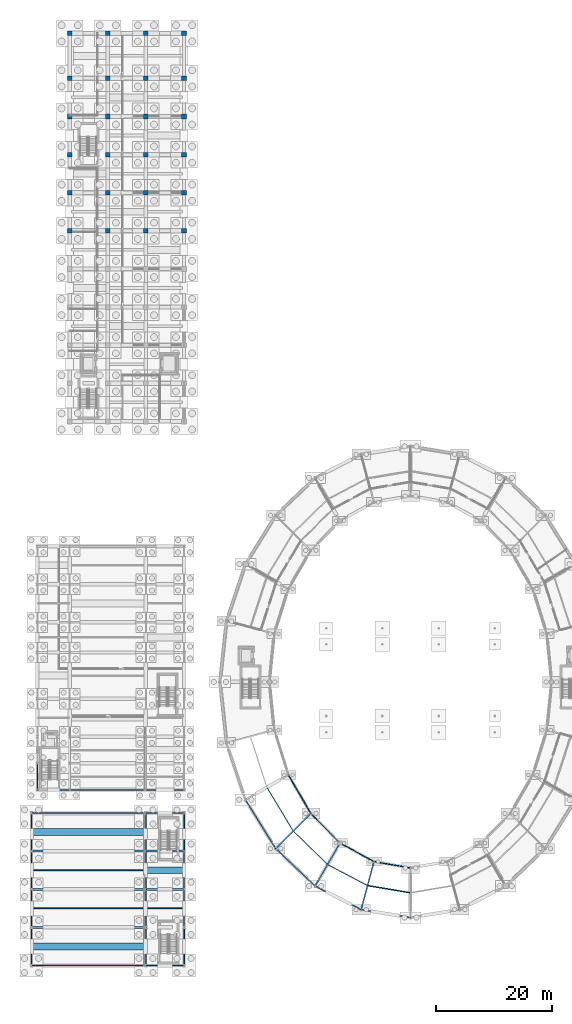
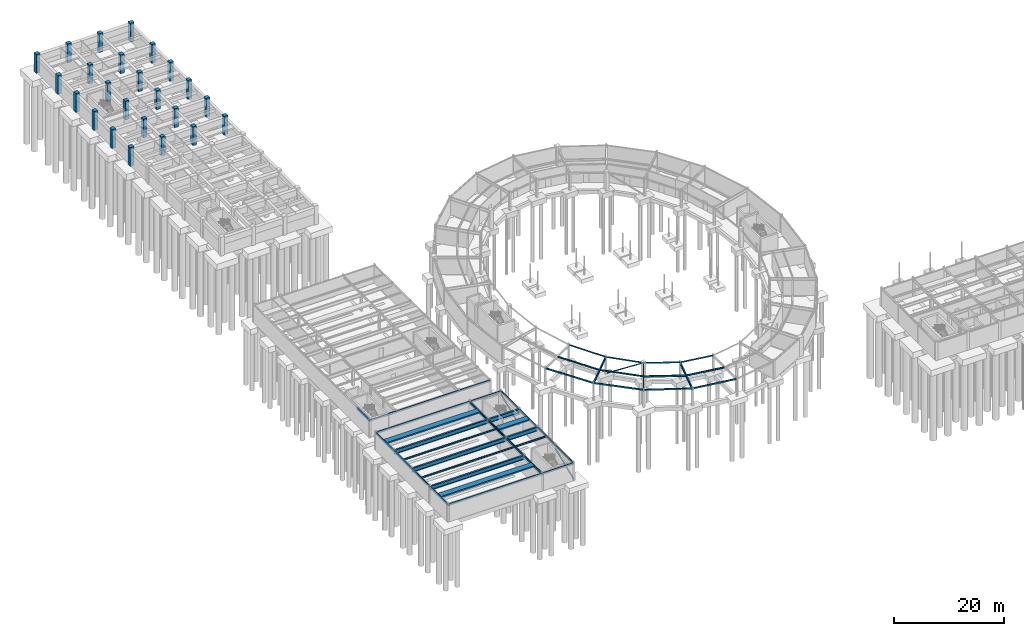
# One storey, part 23 of 58: 46 beams, 24 columns, 3 members.
"""IFC4 building model written with IfcOpenShell, lengths in metres."""

from ifc_helpers import new_model, si_unit, direction, frame, origin, origin_2d, place, context, subcontext, project, spatial, rectangle, hollow_rectangle, hollow_circle, i_section, extrude, material, material_profile, profile_set, type_object, element, save


model = new_model("IFC4")

# Units and contexts
model_context = context("Model", 3, precision=1e-05, world=origin(), true_north=direction((0.0, 1.0)))
body_context = subcontext(model_context, "Body", "Model", "MODEL_VIEW")
ifc_project = project(units=[si_unit("LENGTHUNIT", "METRE"), si_unit("AREAUNIT", "SQUARE_METRE"), si_unit("VOLUMEUNIT", "CUBIC_METRE"), si_unit("PLANEANGLEUNIT", "RADIAN"), si_unit("MASSUNIT", "GRAM", prefix="KILO")], contexts=[model_context])

# Site, building, storey
site_placement = place(None, origin())
site = spatial("IfcSite", under=ifc_project, at=site_placement, CompositionType="ELEMENT")
building_placement = place(site_placement, origin())
building = spatial("IfcBuilding", under=site, at=building_placement, Name="Karori Crest Natural Sciences Institute", CompositionType="ELEMENT")
storey_placement = place(building_placement, frame((0.0, 0.0, -4.199951171875)))
storey = spatial("IfcBuildingStorey", under=building, at=storey_placement, Name="B1", CompositionType="ELEMENT", Elevation=-4.199951171875)

# Columns
ifc_material_1 = material(Name="Concrete 50 MPa", Category="concrete")
ifc_material_profile_1 = material_profile(ifc_material_1, rectangle(XDim=0.800048828125, YDim=0.800048828125, at=origin_2d()), Name="RC800x800")
ifc_profile_set_1 = profile_set([ifc_material_profile_1], Name="Concrete 50 MPa")
column_type = type_object("IfcColumnType", Name="CT-17", PredefinedType="COLUMN", material=ifc_profile_set_1)
for number, where, z_axis, x_axis, name in (
    (1, (7.39990234375, 128.0, 0.0), (0.0, 0.0, 1.0), (1.0, 0.0, 0.0), "Column C-0748"),
    (2, (7.39990234375, 134.60009765625, 0.0), (0.0, 0.0, 1.0), (1.0, 0.0, 0.0), "Column C-0755"),
    (3, (7.39990234375, 141.199951171875, 0.0), (0.0, 0.0, 1.0), (1.0, 0.0, 0.0), "Column C-0762"),
    (4, (7.39990234375, 147.800048828125, 0.0), (0.0, 0.0, 1.0), (1.0, 0.0, 0.0), "Column C-0769"),
    (5, (7.39990234375, 154.39990234375, 0.0), (0.0, 0.0, 1.0), (1.0, 0.0, 0.0), "Column C-0776"),
    (6, (7.39990234375, 162.199951171875, 0.0), (0.0, 0.0, 1.0), (1.0, 0.0, 0.0), "Column C-0781"),
    (7, (14.0, 128.0, 0.0), (0.0, 0.0, 1.0), (1.0, 0.0, 0.0), "Column C-0825"),
    (8, (14.0, 134.60009765625, 0.0), (0.0, 0.0, 1.0), (1.0, 0.0, 0.0), "Column C-0832"),
    (9, (14.0, 141.199951171875, 0.0), (0.0, 0.0, 1.0), (1.0, 0.0, 0.0), "Column C-0839"),
    (10, (14.0, 147.800048828125, 0.0), (0.0, 0.0, 1.0), (1.0, 0.0, 0.0), "Column C-0846"),
    (11, (14.0, 154.39990234375, 0.0), (0.0, 0.0, 1.0), (1.0, 0.0, 0.0), "Column C-0853"),
    (12, (14.0, 162.199951171875, 0.0), (0.0, 0.0, 1.0), (1.0, 0.0, 0.0), "Column C-0858"),
    (13, (20.60009765625, 128.0, 0.0), (0.0, 0.0, 1.0), (1.0, 0.0, 0.0), "Column C-0902"),
    (14, (20.60009765625, 134.60009765625, 0.0), (0.0, 0.0, 1.0), (1.0, 0.0, 0.0), "Column C-0909"),
    (15, (20.60009765625, 141.199951171875, 0.0), (0.0, 0.0, 1.0), (1.0, 0.0, 0.0), "Column C-0916"),
    (16, (20.60009765625, 147.800048828125, 0.0), (0.0, 0.0, 1.0), (1.0, 0.0, 0.0), "Column C-0923"),
    (17, (20.60009765625, 154.39990234375, 0.0), (0.0, 0.0, 1.0), (1.0, 0.0, 0.0), "Column C-0930"),
    (18, (20.60009765625, 162.199951171875, 0.0), (0.0, 0.0, 1.0), (1.0, 0.0, 0.0), "Column C-0935"),
    (19, (27.199951171875, 128.0, 0.0), (0.0, 0.0, 1.0), (1.0, 0.0, 0.0), "Column C-0979"),
    (20, (27.199951171875, 134.60009765625, 0.0), (0.0, 0.0, 1.0), (1.0, 0.0, 0.0), "Column C-0986"),
    (21, (27.199951171875, 141.199951171875, 0.0), (0.0, 0.0, 1.0), (1.0, 0.0, 0.0), "Column C-0993"),
    (22, (27.199951171875, 147.800048828125, 0.0), (0.0, 0.0, 1.0), (1.0, 0.0, 0.0), "Column C-1000"),
    (23, (27.199951171875, 154.39990234375, 0.0), (0.0, 0.0, 1.0), (1.0, 0.0, 0.0), "Column C-1007"),
    (24, (27.199951171875, 162.199951171875, 0.0), (0.0, 0.0, 1.0), (1.0, 0.0, 0.0), "Column C-1012"),
):
    element("IfcColumn", number, at=place(storey_placement, frame(where, z_axis=z_axis, x_axis=x_axis)), inside=storey, type_object=column_type, Name=name, PredefinedType="COLUMN", context=body_context, shape_type="SweptSolid", body=[
        extrude(rectangle(XDim=0.800048828125, YDim=0.800048828125, at=origin_2d()), origin(), (0.0, 0.0, 1.0), 4.199951171875),
    ])

# Beams
ifc_material_2 = material(Name="Structural steel AS/NZS 3679.1 Grade 350", Category="steel")
ifc_material_profile_2 = material_profile(ifc_material_2, i_section(OverallWidth=0.35009765625, OverallDepth=0.907958984375, WebThickness=0.01611328125, FlangeThickness=0.028076171875, FilletRadius=0.01611328125, at=origin_2d()), Name="900WB257")
ifc_profile_set_2 = profile_set([ifc_material_profile_2], Name="Structural steel AS/NZS 3679.1 Grade 350")
beam_type_1 = type_object("IfcBeamType", Name="BT-01", PredefinedType="BEAM", material=ifc_profile_set_2)
for number, where, z_axis, x_axis, name in (
    (25, (0.800048828125, 7.39990234375, 3.466064453125), (1.0, 0.0, 0.0), (0.0, 1.0, 0.0), "Beam B-0760"),
    (26, (0.800048828125, 14.0, 3.466064453125), (1.0, 0.0, 0.0), (0.0, 1.0, 0.0), "Beam B-0761"),
):
    element("IfcBeam", number, at=place(storey_placement, frame(where, z_axis=z_axis, x_axis=x_axis)), inside=storey, type_object=beam_type_1, Name=name, PredefinedType="BEAM", context=body_context, shape_type="SweptSolid", body=[
        extrude(i_section(OverallWidth=0.35009765625, OverallDepth=0.907958984375, WebThickness=0.01611328125, FlangeThickness=0.028076171875, FilletRadius=0.01611328125, at=origin_2d()), origin(), (0.0, 0.0, 1.0), 19.800048828125),
    ])
beam_1_placement = place(storey_placement, frame((20.60009765625, 14.0, 3.466064453125), z_axis=(1.0, 0.0, 0.0), x_axis=(0.0, 1.0, 0.0)))
element("IfcBeam", 27, at=beam_1_placement, inside=storey, type_object=beam_type_1, Name="Beam B-0762", PredefinedType="BEAM", context=body_context, shape_type="SweptSolid", body=[
    extrude(i_section(OverallWidth=0.35009765625, OverallDepth=0.907958984375, WebThickness=0.01611328125, FlangeThickness=0.028076171875, FilletRadius=0.01611328125, at=origin_2d()), origin(), (0.0, 0.0, 1.0), 6.599853515625),
])
beam_2_placement = place(storey_placement, frame((0.800048828125, 20.60009765625, 3.466064453125), z_axis=(1.0, 0.0, 0.0), x_axis=(0.0, 1.0, 0.0)))
element("IfcBeam", 28, at=beam_2_placement, inside=storey, type_object=beam_type_1, Name="Beam B-0763", PredefinedType="BEAM", context=body_context, shape_type="SweptSolid", body=[
    extrude(i_section(OverallWidth=0.35009765625, OverallDepth=0.907958984375, WebThickness=0.01611328125, FlangeThickness=0.028076171875, FilletRadius=0.01611328125, at=origin_2d()), origin(), (0.0, 0.0, 1.0), 19.800048828125),
])
beam_3_placement = place(storey_placement, frame((20.60009765625, 20.60009765625, 3.466064453125), z_axis=(1.0, 0.0, 0.0), x_axis=(0.0, 1.0, 0.0)))
element("IfcBeam", 29, at=beam_3_placement, inside=storey, type_object=beam_type_1, Name="Beam B-0764", PredefinedType="BEAM", context=body_context, shape_type="SweptSolid", body=[
    extrude(i_section(OverallWidth=0.35009765625, OverallDepth=0.907958984375, WebThickness=0.01611328125, FlangeThickness=0.028076171875, FilletRadius=0.01611328125, at=origin_2d()), origin(), (0.0, 0.0, 1.0), 6.599853515625),
])
ifc_material_profile_3 = material_profile(ifc_material_2, i_section(OverallWidth=0.22900390625, OverallDepth=0.612060546875, WebThickness=0.011962890625, FlangeThickness=0.01953125, FilletRadius=0.013916015625, at=origin_2d()), Name="610UB125")
ifc_profile_set_3 = profile_set([ifc_material_profile_3], Name="Structural steel AS/NZS 3679.1 Grade 350")
beam_type_2 = type_object("IfcBeamType", Name="BT-04", PredefinedType="BEAM", material=ifc_profile_set_3)
beam_4_placement = place(storey_placement, frame((54.199951171875, 22.013916015625, 3.634033203125), z_axis=(-0.500007509209, -0.866021068297, 0.0), x_axis=(0.866021068297, -0.500007509209, 0.0)))
element("IfcBeam", 30, at=beam_4_placement, inside=storey, type_object=beam_type_2, Name="Beam B-0062", PredefinedType="BEAM", context=body_context, shape_type="SweptSolid", body=[
    extrude(i_section(OverallWidth=0.22900390625, OverallDepth=0.612060546875, WebThickness=0.011962890625, FlangeThickness=0.01953125, FilletRadius=0.013916015625, at=origin_2d()), origin(), (0.0, 0.0, 1.0), 8.599853515625),
])
ifc_material_profile_4 = material_profile(ifc_material_2, i_section(OverallWidth=0.208984375, OverallDepth=0.532958984375, WebThickness=0.01025390625, FlangeThickness=0.015625, FilletRadius=0.013916015625, at=origin_2d()), Name="530UB92.4")
ifc_profile_set_4 = profile_set([ifc_material_profile_4], Name="Structural steel AS/NZS 3679.1 Grade 350")
beam_type_3 = type_object("IfcBeamType", Name="BT-05", PredefinedType="BEAM", material=ifc_profile_set_4)
beam_5_placement = place(storey_placement, frame((49.146484375, 27.131103515625, 3.67333984375), z_axis=(-0.707106781187, -0.707106781187, 0.0), x_axis=(0.707106781187, -0.707106781187, 0.0)))
element("IfcBeam", 31, at=beam_5_placement, inside=storey, type_object=beam_type_3, Name="Beam B-0058", PredefinedType="BEAM", context=body_context, shape_type="SweptSolid", body=[
    extrude(i_section(OverallWidth=0.208984375, OverallDepth=0.532958984375, WebThickness=0.01025390625, FlangeThickness=0.015625, FilletRadius=0.013916015625, at=origin_2d()), origin(), (0.0, 0.0, 1.0), 8.599853515625),
])
ifc_material_profile_5 = material_profile(ifc_material_2, i_section(OverallWidth=0.19091796875, OverallDepth=0.4599609375, WebThickness=0.010009765625, FlangeThickness=0.01611328125, FilletRadius=0.010986328125, at=origin_2d()), Name="460UB82.1")
ifc_profile_set_5 = profile_set([ifc_material_profile_5], Name="Structural steel AS/NZS 3679.1 Grade 350")
beam_type_4 = type_object("IfcBeamType", Name="BT-06", PredefinedType="BEAM", material=ifc_profile_set_5)
beam_6_placement = place(storey_placement, frame((20.60009765625, 0.800048828125, 3.68994140625), z_axis=(0.0, 1.0, 0.0), x_axis=(-1.0, 0.0, 0.0)))
element("IfcBeam", 32, at=beam_6_placement, inside=storey, type_object=beam_type_4, Name="Beam B-0771", PredefinedType="BEAM", context=body_context, shape_type="SweptSolid", body=[
    extrude(i_section(OverallWidth=0.19091796875, OverallDepth=0.4599609375, WebThickness=0.010009765625, FlangeThickness=0.01611328125, FilletRadius=0.010986328125, at=origin_2d()), origin(), (0.0, 0.0, 1.0), 6.599853515625),
])
for number, where, z_axis, x_axis, name in (
    (33, (20.60009765625, 7.39990234375, 3.68994140625), (0.0, 1.0, 0.0), (-1.0, 0.0, 0.0), "Beam B-0772"),
    (34, (20.60009765625, 14.0, 3.68994140625), (0.0, 1.0, 0.0), (-1.0, 0.0, 0.0), "Beam B-0773"),
):
    element("IfcBeam", number, at=place(storey_placement, frame(where, z_axis=z_axis, x_axis=x_axis)), inside=storey, type_object=beam_type_4, Name=name, PredefinedType="BEAM", context=body_context, shape_type="SweptSolid", body=[
        extrude(i_section(OverallWidth=0.19091796875, OverallDepth=0.4599609375, WebThickness=0.010009765625, FlangeThickness=0.01611328125, FilletRadius=0.010986328125, at=origin_2d()), origin(), (0.0, 0.0, 1.0), 6.60009765625),
    ])
beam_7_placement = place(storey_placement, frame((20.60009765625, 20.60009765625, 3.68994140625), z_axis=(0.0, 1.0, 0.0), x_axis=(-1.0, 0.0, 0.0)))
element("IfcBeam", 35, at=beam_7_placement, inside=storey, type_object=beam_type_4, Name="Beam B-0774", PredefinedType="BEAM", context=body_context, shape_type="SweptSolid", body=[
    extrude(i_section(OverallWidth=0.19091796875, OverallDepth=0.4599609375, WebThickness=0.010009765625, FlangeThickness=0.01611328125, FilletRadius=0.010986328125, at=origin_2d()), origin(), (0.0, 0.0, 1.0), 6.599853515625),
])
ifc_material_profile_6 = material_profile(ifc_material_2, i_section(OverallWidth=0.19091796875, OverallDepth=0.4599609375, WebThickness=0.010009765625, FlangeThickness=0.01611328125, FilletRadius=0.010986328125, at=origin_2d()), Name="460UB82.1")
ifc_profile_set_6 = profile_set([ifc_material_profile_6], Name="Structural steel AS/NZS 3679.1 Grade 350")
beam_type_5 = type_object("IfcBeamType", Name="BT-06-EL", PredefinedType="BEAM", material=ifc_profile_set_6)
beam_8_placement = place(storey_placement, frame((0.800048828125, 0.800048828125, 3.68994140625), z_axis=(0.0, 1.0, 0.0), x_axis=(-1.0, 0.0, 0.0)))
element("IfcBeam", 36, at=beam_8_placement, inside=storey, type_object=beam_type_5, Name="Beam B-0767", PredefinedType="BEAM", context=body_context, shape_type="SweptSolid", body=[
    extrude(i_section(OverallWidth=0.19091796875, OverallDepth=0.4599609375, WebThickness=0.010009765625, FlangeThickness=0.01611328125, FilletRadius=0.010986328125, at=origin_2d()), origin(), (0.0, 0.0, 1.0), 6.599853515625),
])
for number, where, z_axis, x_axis, name in (
    (37, (0.800048828125, 7.39990234375, 3.68994140625), (0.0, 1.0, 0.0), (-1.0, 0.0, 0.0), "Beam B-0768"),
    (38, (0.800048828125, 14.0, 3.68994140625), (0.0, 1.0, 0.0), (-1.0, 0.0, 0.0), "Beam B-0769"),
):
    element("IfcBeam", number, at=place(storey_placement, frame(where, z_axis=z_axis, x_axis=x_axis)), inside=storey, type_object=beam_type_5, Name=name, PredefinedType="BEAM", context=body_context, shape_type="SweptSolid", body=[
        extrude(i_section(OverallWidth=0.19091796875, OverallDepth=0.4599609375, WebThickness=0.010009765625, FlangeThickness=0.01611328125, FilletRadius=0.010986328125, at=origin_2d()), origin(), (0.0, 0.0, 1.0), 6.60009765625),
    ])
for number, where, z_axis, x_axis, name in (
    (39, (0.800048828125, 20.60009765625, 3.68994140625), (0.0, 1.0, 0.0), (-1.0, 0.0, 0.0), "Beam B-0770"),
    (40, (27.199951171875, 0.800048828125, 3.68994140625), (0.0, 1.0, 0.0), (-1.0, 0.0, 0.0), "Beam B-0775"),
):
    element("IfcBeam", number, at=place(storey_placement, frame(where, z_axis=z_axis, x_axis=x_axis)), inside=storey, type_object=beam_type_5, Name=name, PredefinedType="BEAM", context=body_context, shape_type="SweptSolid", body=[
        extrude(i_section(OverallWidth=0.19091796875, OverallDepth=0.4599609375, WebThickness=0.010009765625, FlangeThickness=0.01611328125, FilletRadius=0.010986328125, at=origin_2d()), origin(), (0.0, 0.0, 1.0), 6.599853515625),
    ])
for number, where, z_axis, x_axis, name in (
    (41, (27.199951171875, 7.39990234375, 3.68994140625), (0.0, 1.0, 0.0), (-1.0, 0.0, 0.0), "Beam B-0776"),
    (42, (27.199951171875, 14.0, 3.68994140625), (0.0, 1.0, 0.0), (-1.0, 0.0, 0.0), "Beam B-0777"),
):
    element("IfcBeam", number, at=place(storey_placement, frame(where, z_axis=z_axis, x_axis=x_axis)), inside=storey, type_object=beam_type_5, Name=name, PredefinedType="BEAM", context=body_context, shape_type="SweptSolid", body=[
        extrude(i_section(OverallWidth=0.19091796875, OverallDepth=0.4599609375, WebThickness=0.010009765625, FlangeThickness=0.01611328125, FilletRadius=0.010986328125, at=origin_2d()), origin(), (0.0, 0.0, 1.0), 6.60009765625),
    ])
beam_9_placement = place(storey_placement, frame((27.199951171875, 20.60009765625, 3.68994140625), z_axis=(0.0, 1.0, 0.0), x_axis=(-1.0, 0.0, 0.0)))
element("IfcBeam", 43, at=beam_9_placement, inside=storey, type_object=beam_type_5, Name="Beam B-0778", PredefinedType="BEAM", context=body_context, shape_type="SweptSolid", body=[
    extrude(i_section(OverallWidth=0.19091796875, OverallDepth=0.4599609375, WebThickness=0.010009765625, FlangeThickness=0.01611328125, FilletRadius=0.010986328125, at=origin_2d()), origin(), (0.0, 0.0, 1.0), 6.599853515625),
])
beam_10_placement = place(storey_placement, frame((1.800048828125, 31.199951171875, 3.68994140625), z_axis=(0.0, 1.0, 0.0), x_axis=(-1.0, 0.0, 0.0)))
element("IfcBeam", 44, at=beam_10_placement, inside=storey, type_object=beam_type_5, Name="Beam B-0894", PredefinedType="BEAM", context=body_context, shape_type="SweptSolid", body=[
    extrude(i_section(OverallWidth=0.19091796875, OverallDepth=0.4599609375, WebThickness=0.010009765625, FlangeThickness=0.01611328125, FilletRadius=0.010986328125, at=origin_2d()), origin(), (0.0, 0.0, 1.0), 4.60009765625),
])
ifc_material_profile_7 = material_profile(ifc_material_2, i_section(OverallWidth=0.172119140625, OverallDepth=0.35888671875, WebThickness=0.008056640625, FlangeThickness=0.012939453125, FilletRadius=0.010986328125, at=origin_2d()), Name="360UB56.7")
ifc_profile_set_7 = profile_set([ifc_material_profile_7], Name="Structural steel AS/NZS 3679.1 Grade 350")
beam_type_6 = type_object("IfcBeamType", Name="BT-08", PredefinedType="BEAM", material=ifc_profile_set_7)
for number, where, z_axis, x_axis, name in (
    (45, (0.8955078125, 10.699951171875, 3.740478515625), (1.0, 0.0, 0.0), (0.0, 1.0, 0.0), "Beam B-0780"),
    (46, (0.8955078125, 17.300048828125, 3.740478515625), (1.0, 0.0, 0.0), (0.0, 1.0, 0.0), "Beam B-0781"),
):
    element("IfcBeam", number, at=place(storey_placement, frame(where, z_axis=z_axis, x_axis=x_axis)), inside=storey, type_object=beam_type_6, Name=name, PredefinedType="BEAM", context=body_context, shape_type="SweptSolid", body=[
        extrude(i_section(OverallWidth=0.172119140625, OverallDepth=0.35888671875, WebThickness=0.008056640625, FlangeThickness=0.012939453125, FilletRadius=0.010986328125, at=origin_2d()), origin(), (0.0, 0.0, 1.0), 19.60888671875),
    ])
beam_11_placement = place(storey_placement, frame((20.695556640625, 10.699951171875, 3.740478515625), z_axis=(1.0, 0.0, 0.0), x_axis=(0.0, 1.0, 0.0)))
element("IfcBeam", 47, at=beam_11_placement, inside=storey, type_object=beam_type_6, Name="Beam B-0783", PredefinedType="BEAM", context=body_context, shape_type="SweptSolid", body=[
    extrude(i_section(OverallWidth=0.172119140625, OverallDepth=0.35888671875, WebThickness=0.008056640625, FlangeThickness=0.012939453125, FilletRadius=0.010986328125, at=origin_2d()), origin(), (0.0, 0.0, 1.0), 6.408935546875),
])
ifc_material_profile_8 = material_profile(ifc_material_2, i_section(OverallWidth=0.166015625, OverallDepth=0.306884765625, WebThickness=0.006591796875, FlangeThickness=0.01171875, FilletRadius=0.010986328125, at=origin_2d()), Name="310UB46.2")
ifc_profile_set_8 = profile_set([ifc_material_profile_8], Name="Structural steel AS/NZS 3679.1 Grade 350")
beam_type_7 = type_object("IfcBeamType", Name="BT-09", PredefinedType="BEAM", material=ifc_profile_set_8)
beam_12_placement = place(storey_placement, frame((46.19189453125, 24.0068359375, 3.786376953125), z_axis=(0.715681193625, -0.698427110794, 0.0), x_axis=(0.698427110794, 0.715681193625, 0.0)))
element("IfcBeam", 48, at=beam_12_placement, inside=storey, type_object=beam_type_7, Name="Beam B-0059", PredefinedType="BEAM", context=body_context, shape_type="SweptSolid", body=[
    extrude(i_section(OverallWidth=0.166015625, OverallDepth=0.306884765625, WebThickness=0.006591796875, FlangeThickness=0.01171875, FilletRadius=0.010986328125, at=origin_2d()), origin(), (0.0, 0.0, 1.0), 8.0654296875),
])
ifc_material_profile_9 = material_profile(ifc_material_2, i_section(OverallWidth=0.1650390625, OverallDepth=0.303955078125, WebThickness=0.006103515625, FlangeThickness=0.01025390625, FilletRadius=0.010986328125, at=origin_2d()), Name="310UB40.4")
ifc_profile_set_9 = profile_set([ifc_material_profile_9], Name="Structural steel AS/NZS 3679.1 Grade 350")
beam_type_8 = type_object("IfcBeamType", Name="BT-10", PredefinedType="BEAM", material=ifc_profile_set_9)
beam_13_placement = place(storey_placement, frame((41.607177734375, 31.54736328125, 3.787841796875), z_axis=(0.516601017309, -0.856226248672, 0.0), x_axis=(0.856226248672, 0.516601017309, 0.0)))
element("IfcBeam", 49, at=beam_13_placement, inside=storey, type_object=beam_type_8, Name="Beam B-0055", PredefinedType="BEAM", context=body_context, shape_type="SweptSolid", body=[
    extrude(i_section(OverallWidth=0.1650390625, OverallDepth=0.303955078125, WebThickness=0.006103515625, FlangeThickness=0.01025390625, FilletRadius=0.010986328125, at=origin_2d()), origin(), (0.0, 0.0, 1.0), 8.5888671875),
])
ifc_material_3 = material(Name="Hollow structural steel AS/NZS 1163 Grade C350", Category="steel")
ifc_material_profile_10 = material_profile(ifc_material_3, hollow_rectangle(XDim=0.199951171875, YDim=0.39990234375, WallThickness=0.012451171875, at=origin_2d()), Name="RHS400x200x12.5")
ifc_profile_set_10 = profile_set([ifc_material_profile_10], Name="Hollow structural steel AS/NZS 1163 Grade C350")
beam_type_9 = type_object("IfcBeamType", Name="BT-14", PredefinedType="SPANDREL", material=ifc_profile_set_10)
beam_14_placement = place(storey_placement, frame((0.800048828125, 0.800048828125, 3.719970703125), z_axis=(1.0, 0.0, 0.0), x_axis=(0.0, 1.0, 0.0)))
element("IfcBeam", 50, at=beam_14_placement, inside=storey, type_object=beam_type_9, Name="Beam B-0758", PredefinedType="SPANDREL", context=body_context, shape_type="SweptSolid", body=[
    extrude(hollow_rectangle(XDim=0.199951171875, YDim=0.39990234375, WallThickness=0.012451171875, at=origin_2d()), origin(), (0.0, 0.0, 1.0), 19.800048828125),
])
beam_15_placement = place(storey_placement, frame((20.60009765625, 0.800048828125, 3.719970703125), z_axis=(1.0, 0.0, 0.0), x_axis=(0.0, 1.0, 0.0)))
element("IfcBeam", 51, at=beam_15_placement, inside=storey, type_object=beam_type_9, Name="Beam B-0759", PredefinedType="SPANDREL", context=body_context, shape_type="SweptSolid", body=[
    extrude(hollow_rectangle(XDim=0.199951171875, YDim=0.39990234375, WallThickness=0.012451171875, at=origin_2d()), origin(), (0.0, 0.0, 1.0), 6.599853515625),
])
beam_16_placement = place(storey_placement, frame((0.800048828125, 27.199951171875, 3.719970703125), z_axis=(1.0, 0.0, 0.0), x_axis=(0.0, 1.0, 0.0)))
element("IfcBeam", 52, at=beam_16_placement, inside=storey, type_object=beam_type_9, Name="Beam B-0765", PredefinedType="SPANDREL", context=body_context, shape_type="SweptSolid", body=[
    extrude(hollow_rectangle(XDim=0.199951171875, YDim=0.39990234375, WallThickness=0.012451171875, at=origin_2d()), origin(), (0.0, 0.0, 1.0), 19.800048828125),
])
beam_17_placement = place(storey_placement, frame((20.60009765625, 27.199951171875, 3.719970703125), z_axis=(1.0, 0.0, 0.0), x_axis=(0.0, 1.0, 0.0)))
element("IfcBeam", 53, at=beam_17_placement, inside=storey, type_object=beam_type_9, Name="Beam B-0766", PredefinedType="SPANDREL", context=body_context, shape_type="SweptSolid", body=[
    extrude(hollow_rectangle(XDim=0.199951171875, YDim=0.39990234375, WallThickness=0.012451171875, at=origin_2d()), origin(), (0.0, 0.0, 1.0), 6.599853515625),
])
beam_18_placement = place(storey_placement, frame((1.800048828125, 31.199951171875, 3.719970703125), z_axis=(1.0, 0.0, 0.0), x_axis=(0.0, 1.0, 0.0)))
element("IfcBeam", 54, at=beam_18_placement, inside=storey, type_object=beam_type_9, Name="Beam B-0873", PredefinedType="SPANDREL", context=body_context, shape_type="SweptSolid", body=[
    extrude(hollow_rectangle(XDim=0.199951171875, YDim=0.39990234375, WallThickness=0.012451171875, at=origin_2d()), origin(), (0.0, 0.0, 1.0), 5.599853515625),
])
beam_19_placement = place(storey_placement, frame((7.39990234375, 31.199951171875, 3.719970703125), z_axis=(1.0, 0.0, 0.0), x_axis=(0.0, 1.0, 0.0)))
element("IfcBeam", 55, at=beam_19_placement, inside=storey, type_object=beam_type_9, Name="Beam B-0874", PredefinedType="SPANDREL", context=body_context, shape_type="SweptSolid", body=[
    extrude(hollow_rectangle(XDim=0.199951171875, YDim=0.39990234375, WallThickness=0.012451171875, at=origin_2d()), origin(), (0.0, 0.0, 1.0), 13.2001953125),
])
beam_20_placement = place(storey_placement, frame((20.60009765625, 31.199951171875, 3.719970703125), z_axis=(1.0, 0.0, 0.0), x_axis=(0.0, 1.0, 0.0)))
element("IfcBeam", 56, at=beam_20_placement, inside=storey, type_object=beam_type_9, Name="Beam B-0875", PredefinedType="SPANDREL", context=body_context, shape_type="SweptSolid", body=[
    extrude(hollow_rectangle(XDim=0.199951171875, YDim=0.39990234375, WallThickness=0.012451171875, at=origin_2d()), origin(), (0.0, 0.0, 1.0), 6.599853515625),
])
ifc_material_profile_11 = material_profile(ifc_material_3, hollow_rectangle(XDim=0.199951171875, YDim=0.300048828125, WallThickness=0.010009765625, at=origin_2d()), Name="RHS300x200x10")
ifc_profile_set_11 = profile_set([ifc_material_profile_11], Name="Hollow structural steel AS/NZS 1163 Grade C350")
beam_type_10 = type_object("IfcBeamType", Name="BT-15", PredefinedType="SPANDREL", material=ifc_profile_set_11)
beam_21_placement = place(storey_placement, frame((37.8212890625, 29.5, 3.7900390625), z_axis=(0.527315195609, -0.849669750244, 0.0), x_axis=(0.849669750244, 0.527315195609, 0.0)))
element("IfcBeam", 57, at=beam_21_placement, inside=storey, type_object=beam_type_10, Name="Beam B-0052", PredefinedType="SPANDREL", context=body_context, shape_type="SweptSolid", body=[
    extrude(hollow_rectangle(XDim=0.199951171875, YDim=0.300048828125, WallThickness=0.010009765625, at=origin_2d()), origin(), (0.0, 0.0, 1.0), 9.945068359375),
])
beam_22_placement = place(storey_placement, frame((43.0654296875, 21.050048828125, 3.7900390625), z_axis=(0.72546900706, -0.688254836376, 0.0), x_axis=(0.688254836376, 0.72546900706, 0.0)))
element("IfcBeam", 58, at=beam_22_placement, inside=storey, type_object=beam_type_10, Name="Beam B-0056", PredefinedType="SPANDREL", context=body_context, shape_type="SweptSolid", body=[
    extrude(hollow_rectangle(XDim=0.199951171875, YDim=0.300048828125, WallThickness=0.010009765625, at=origin_2d()), origin(), (0.0, 0.0, 1.0), 9.420654296875),
])
beam_23_placement = place(storey_placement, frame((49.89990234375, 14.566162109375, 3.7900390625), z_axis=(0.890071733872, -0.455820478436, 0.0), x_axis=(0.455820478436, 0.890071733872, 0.0)))
element("IfcBeam", 59, at=beam_23_placement, inside=storey, type_object=beam_type_10, Name="Beam B-0060", PredefinedType="SPANDREL", context=body_context, shape_type="SweptSolid", body=[
    extrude(hollow_rectangle(XDim=0.199951171875, YDim=0.300048828125, WallThickness=0.010009765625, at=origin_2d()), origin(), (0.0, 0.0, 1.0), 8.94189453125),
])
beam_24_placement = place(storey_placement, frame((57.85888671875, 10.490234375, 3.7900390625), z_axis=(0.987012055933, -0.160646199591, 0.0), x_axis=(0.160646199591, 0.987012055933, 0.0)))
element("IfcBeam", 60, at=beam_24_placement, inside=storey, type_object=beam_type_10, Name="Beam B-0064", PredefinedType="SPANDREL", context=body_context, shape_type="SweptSolid", body=[
    extrude(hollow_rectangle(XDim=0.199951171875, YDim=0.300048828125, WallThickness=0.010009765625, at=origin_2d()), origin(), (0.0, 0.0, 1.0), 8.6533203125),
])
ifc_material_profile_12 = material_profile(ifc_material_3, hollow_rectangle(XDim=0.14990234375, YDim=0.25, WallThickness=0.009033203125, at=origin_2d()), Name="RHS250x150x9")
ifc_profile_set_12 = profile_set([ifc_material_profile_12], Name="Hollow structural steel AS/NZS 1163 Grade C350")
beam_type_11 = type_object("IfcBeamType", Name="BT-16", PredefinedType="SPANDREL", material=ifc_profile_set_12)
beam_25_placement = place(storey_placement, frame((45.26904296875, 33.800048828125, 3.7900390625), z_axis=(0.502634759064, -0.86449887159, 0.0), x_axis=(0.86449887159, 0.502634759064, 0.0)))
element("IfcBeam", 61, at=beam_25_placement, inside=storey, type_object=beam_type_11, Name="Beam B-0053", PredefinedType="SPANDREL", context=body_context, shape_type="SweptSolid", body=[
    extrude(hollow_rectangle(XDim=0.14990234375, YDim=0.25, WallThickness=0.009033203125, at=origin_2d()), origin(), (0.0, 0.0, 1.0), 7.714111328125),
])
beam_26_placement = place(storey_placement, frame((49.146484375, 27.131103515625, 3.7900390625), z_axis=(0.70266285879, -0.711522948946, 0.0), x_axis=(0.711522948946, 0.70266285879, 0.0)))
element("IfcBeam", 62, at=beam_26_placement, inside=storey, type_object=beam_type_11, Name="Beam B-0057", PredefinedType="SPANDREL", context=body_context, shape_type="SweptSolid", body=[
    extrude(hollow_rectangle(XDim=0.14990234375, YDim=0.25, WallThickness=0.009033203125, at=origin_2d()), origin(), (0.0, 0.0, 1.0), 7.19189453125),
])
beam_27_placement = place(storey_placement, frame((54.199951171875, 22.013916015625, 3.7900390625), z_axis=(0.877461157042, -0.479647701842, 0.0), x_axis=(0.479647701842, 0.877461157042, 0.0)))
element("IfcBeam", 63, at=beam_27_placement, inside=storey, type_object=beam_type_11, Name="Beam B-0061", PredefinedType="SPANDREL", context=body_context, shape_type="SweptSolid", body=[
    extrude(hollow_rectangle(XDim=0.14990234375, YDim=0.25, WallThickness=0.009033203125, at=origin_2d()), origin(), (0.0, 0.0, 1.0), 6.70654296875),
])
beam_28_placement = place(storey_placement, frame((60.084716796875, 18.797119140625, 3.7900390625), z_axis=(0.985241372425, -0.17117078624, 0.0), x_axis=(0.17117078624, 0.985241372425, 0.0)))
element("IfcBeam", 64, at=beam_28_placement, inside=storey, type_object=beam_type_11, Name="Beam B-0065", PredefinedType="SPANDREL", context=body_context, shape_type="SweptSolid", body=[
    extrude(hollow_rectangle(XDim=0.14990234375, YDim=0.25, WallThickness=0.009033203125, at=origin_2d()), origin(), (0.0, 0.0, 1.0), 6.40966796875),
])
ifc_material_4 = material(Name="Concrete 40 MPa", Category="concrete")
ifc_material_profile_13 = material_profile(ifc_material_4, rectangle(XDim=1.199951171875, YDim=0.300048828125, at=origin_2d()), Name="HCP1200x300")
ifc_profile_set_13 = profile_set([ifc_material_profile_13], Name="Concrete 40 MPa")
beam_type_12 = type_object("IfcBeamType", Name="BT-25", PredefinedType="HOLLOWCORE", material=ifc_profile_set_13)
for number, where, z_axis, x_axis, name in (
    (65, (0.8955078125, 4.10009765625, 3.77001953125), (1.0, 0.0, 0.0), (0.0, 1.0, 0.0), "Beam B-0779"),
    (66, (0.8955078125, 23.89990234375, 3.77001953125), (1.0, 0.0, 0.0), (0.0, 1.0, 0.0), "Beam B-0782"),
):
    element("IfcBeam", number, at=place(storey_placement, frame(where, z_axis=z_axis, x_axis=x_axis)), inside=storey, type_object=beam_type_12, Name=name, PredefinedType="HOLLOWCORE", context=body_context, shape_type="SweptSolid", body=[
        extrude(rectangle(XDim=1.199951171875, YDim=0.300048828125, at=origin_2d()), origin(), (0.0, 0.0, 1.0), 19.60888671875),
    ])
beam_29_placement = place(storey_placement, frame((20.695556640625, 17.300048828125, 3.77001953125), z_axis=(1.0, 0.0, 0.0), x_axis=(0.0, 1.0, 0.0)))
element("IfcBeam", 67, at=beam_29_placement, inside=storey, type_object=beam_type_12, Name="Beam B-0784", PredefinedType="HOLLOWCORE", context=body_context, shape_type="SweptSolid", body=[
    extrude(rectangle(XDim=1.199951171875, YDim=0.300048828125, at=origin_2d()), origin(), (0.0, 0.0, 1.0), 6.408935546875),
])
ifc_material_profile_14 = material_profile(ifc_material_2, i_section(OverallWidth=0.22802734375, OverallDepth=0.60205078125, WebThickness=0.010498046875, FlangeThickness=0.014892578125, FilletRadius=0.013916015625, at=origin_2d()), Name="610UB101")
ifc_profile_set_14 = profile_set([ifc_material_profile_14], Name="Structural steel AS/NZS 3679.1 Grade 350")
beam_type_13 = type_object("IfcBeamType", Name="BT-27", PredefinedType="BEAM", material=ifc_profile_set_14)
beam_30_placement = place(storey_placement, frame((60.084716796875, 18.797119140625, 3.638916015625), z_axis=(-0.258819806009, -0.965925622404, 0.0), x_axis=(0.965925622404, -0.258819806009, 0.0)))
element("IfcBeam", 68, at=beam_30_placement, inside=storey, type_object=beam_type_13, Name="Beam B-0066", PredefinedType="BEAM", context=body_context, shape_type="SweptSolid", body=[
    extrude(i_section(OverallWidth=0.22802734375, OverallDepth=0.60205078125, WebThickness=0.010498046875, FlangeThickness=0.014892578125, FilletRadius=0.013916015625, at=origin_2d()), origin(), (0.0, 0.0, 1.0), 8.599853515625),
])
ifc_material_profile_15 = material_profile(ifc_material_2, i_section(OverallWidth=0.177978515625, OverallDepth=0.403076171875, WebThickness=0.007568359375, FlangeThickness=0.010986328125, FilletRadius=0.010986328125, at=origin_2d()), Name="410UB53.7")
ifc_profile_set_15 = profile_set([ifc_material_profile_15], Name="Structural steel AS/NZS 3679.1 Grade 350")
beam_type_14 = type_object("IfcBeamType", Name="BT-29", PredefinedType="BEAM", material=ifc_profile_set_15)
beam_31_placement = place(storey_placement, frame((52.15625, 18.234130859375, 3.738525390625), z_axis=(0.884748465601, -0.466068828197, 0.0), x_axis=(0.466068828197, 0.884748465601, 0.0)))
element("IfcBeam", 69, at=beam_31_placement, inside=storey, type_object=beam_type_14, Name="Beam B-0063", PredefinedType="BEAM", context=body_context, shape_type="SweptSolid", body=[
    extrude(i_section(OverallWidth=0.177978515625, OverallDepth=0.403076171875, WebThickness=0.007568359375, FlangeThickness=0.010986328125, FilletRadius=0.010986328125, at=origin_2d()), origin(), (0.0, 0.0, 1.0), 7.58349609375),
])
ifc_material_profile_16 = material_profile(ifc_material_2, i_section(OverallWidth=0.1708984375, OverallDepth=0.35595703125, WebThickness=0.00732421875, FlangeThickness=0.011474609375, FilletRadius=0.010986328125, at=origin_2d()), Name="360UB50.7")
ifc_profile_set_16 = profile_set([ifc_material_profile_16], Name="Structural steel AS/NZS 3679.1 Grade 350")
beam_type_15 = type_object("IfcBeamType", Name="BT-30", PredefinedType="BEAM", material=ifc_profile_set_16)
beam_32_placement = place(storey_placement, frame((59.09033203125, 14.623779296875, 3.761962890625), z_axis=(0.986275115433, -0.165110256126, 0.0), x_axis=(0.165110256126, 0.986275115433, 0.0)))
element("IfcBeam", 70, at=beam_32_placement, inside=storey, type_object=beam_type_15, Name="Beam B-0067", PredefinedType="BEAM", context=body_context, shape_type="SweptSolid", body=[
    extrude(i_section(OverallWidth=0.1708984375, OverallDepth=0.35595703125, WebThickness=0.00732421875, FlangeThickness=0.011474609375, FilletRadius=0.010986328125, at=origin_2d()), origin(), (0.0, 0.0, 1.0), 7.291259765625),
])

# Members
ifc_material_profile_17 = material_profile(ifc_material_3, hollow_circle(Radius=0.136474609375, WallThickness=0.00927734375, at=origin_2d()), Name="CHS273.0x9.3")
ifc_profile_set_17 = profile_set([ifc_material_profile_17], Name="Hollow structural steel AS/NZS 1163 Grade C350")
member_type_1 = type_object("IfcMemberType", Name="MT-01", PredefinedType="BRACE", material=ifc_profile_set_17)
for number, where, z_axis, x_axis, name in (
    (71, (27.199951171875, 0.800048828125, 0.25), (0.0, 0.921980400891, 0.387236543178), (-1.0, 0.0, 0.0), "Diagonal Brace M-0241"),
    (72, (27.199951171875, 20.60009765625, 0.25), (0.0, 0.921980400891, 0.387236543178), (-1.0, 0.0, 0.0), "Diagonal Brace M-0242"),
):
    element("IfcMember", number, at=place(storey_placement, frame(where, z_axis=z_axis, x_axis=x_axis)), inside=storey, type_object=member_type_1, Name=name, PredefinedType="BRACE", context=body_context, shape_type="SweptSolid", body=[
        extrude(hollow_circle(Radius=0.136474609375, WallThickness=0.00927734375, at=origin_2d()), origin(), (0.0, 0.0, 1.0), 7.158447265625),
    ])
ifc_material_profile_18 = material_profile(ifc_material_3, hollow_circle(Radius=0.109619140625, WallThickness=0.00830078125, at=origin_2d()), Name="CHS219.1x8.2")
ifc_profile_set_18 = profile_set([ifc_material_profile_18], Name="Hollow structural steel AS/NZS 1163 Grade C350")
member_type_2 = type_object("IfcMemberType", Name="MT-02", PredefinedType="BRACE", material=ifc_profile_set_18)
member_placement = place(storey_placement, frame((49.357421875, 26.917724609375, 0.25), z_axis=(0.624493726824, -0.632360794119, 0.458396565452), x_axis=(0.711518857686, 0.702667001614, 0.0)))
element("IfcMember", 73, at=member_placement, inside=storey, type_object=member_type_2, Name="Diagonal Brace M-0003", PredefinedType="BRACE", context=body_context, shape_type="SweptSolid", body=[
    extrude(hollow_circle(Radius=0.109619140625, WallThickness=0.00830078125, at=origin_2d()), origin(), (0.0, 0.0, 1.0), 7.4169921875),
])

save(model, "model.ifc")
